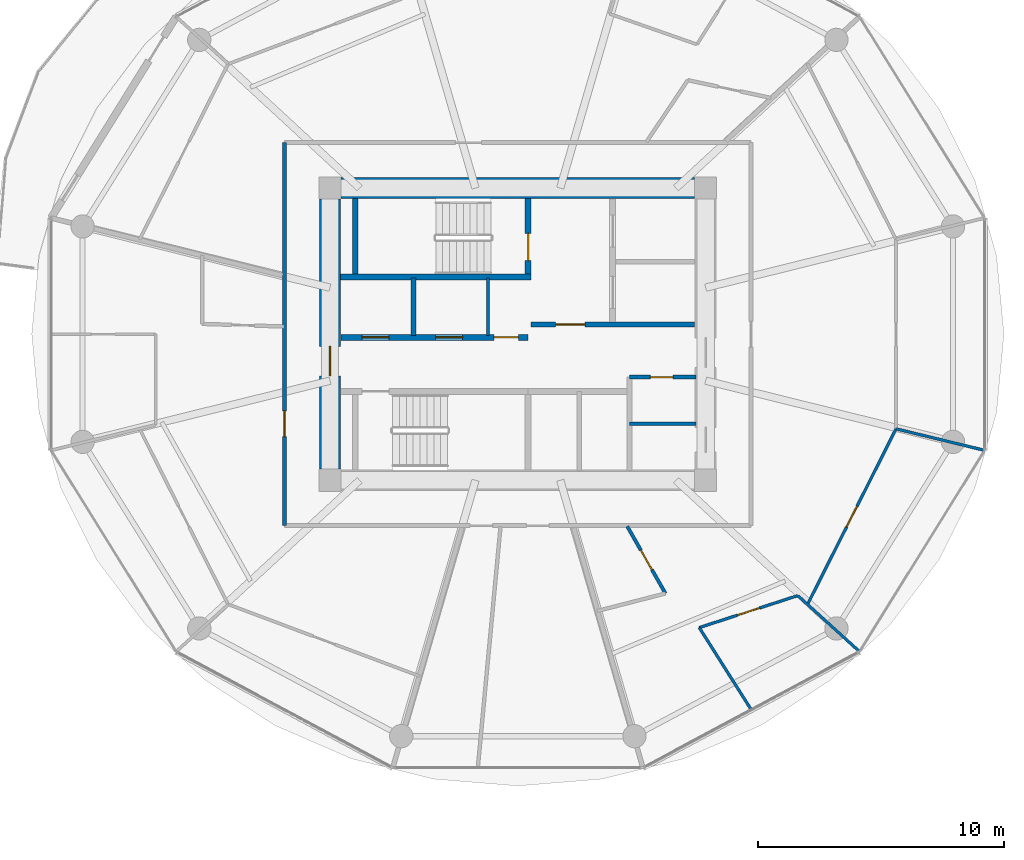
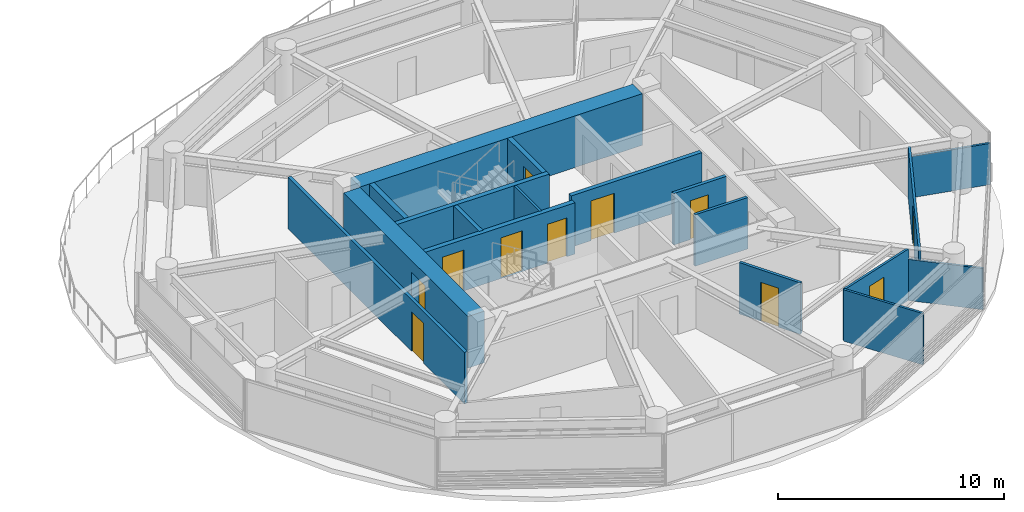
# One storey, part 19 of 27: 18 walls, 11 doors, 11 openings.
"""IFC4 building model written with IfcOpenShell, lengths in metres."""

from ifc_helpers import new_model, si_unit, direction, frame, frame_2d, origin, place, context, subcontext, project, spatial, rectangle, extrude, source, transform, mapped, material, layer, layer_set, type_object, type_shapes, element, fill, save


model = new_model("IFC4")

# Units and contexts
model_context = context("Model", 3, precision=1e-05, world=origin(), true_north=direction((0.0, 1.0)))
body_context = subcontext(model_context, "Body", "Model", "MODEL_VIEW")
ifc_project = project(units=[si_unit("LENGTHUNIT", "METRE"), si_unit("AREAUNIT", "SQUARE_METRE"), si_unit("VOLUMEUNIT", "CUBIC_METRE"), si_unit("PLANEANGLEUNIT", "RADIAN"), si_unit("MASSUNIT", "GRAM", prefix="KILO")], contexts=[model_context])

# Site, building, storey
site_placement = place(None, origin())
site = spatial("IfcSite", under=ifc_project, at=site_placement, CompositionType="ELEMENT")
building_placement = place(site_placement, origin())
building = spatial("IfcBuilding", under=site, at=building_placement, Name="Norrkilde Senior Care Towers", CompositionType="ELEMENT")
storey_placement = place(building_placement, frame((0.0, 0.0, 58.199951171875)))
storey = spatial("IfcBuildingStorey", under=building, at=storey_placement, Name="L17", CompositionType="ELEMENT", Elevation=58.199951171875)

# Wall
ifc_material_1 = material(Name="Concrete C60/75", Category="concrete")
ifc_layer_1 = layer(ifc_material_1, 0.85009765625)
ifc_layer_set_1 = layer_set([ifc_layer_1], Name="Concrete C60/75")
wall_type_1 = type_object("IfcWallType", Name="Core Shear Wall Z1 850", PredefinedType="SHEAR", material=ifc_layer_set_1)
shared_shape_1 = source(origin(), body_context, "Body", "SweptSolid", [
    extrude(rectangle(XDim=14.39990234375, YDim=0.85009765625, at=frame_2d((7.199951171875, 0.0))), origin(), (0.0, 0.0, 1.0), 2.7900390625),
])
wall_1_placement = place(storey_placement, frame((20.800048828125, 5.949951171875, 0.0), z_axis=(0.0, 0.0, 1.0), x_axis=(1.0, 0.0, 0.0)))
element("IfcWall", 1, at=wall_1_placement, inside=storey, type_object=wall_type_1, Name="L17 Core E North Shear Wall", PredefinedType="SHEAR", context=body_context, shape_type="MappedRepresentation", body=[
    mapped(shared_shape_1, transform((0.0, 0.0, 0.0), x_axis=(1.0, 0.0, 0.0), y_axis=(0.0, 1.0, 0.0), z_axis=(0.0, 0.0, 1.0), scale=1.0)),
])

# Wall, opening, door
shared_shape_2 = source(origin(), body_context, "Body", "SweptSolid", [
    extrude(rectangle(XDim=11.0, YDim=0.85009765625, at=frame_2d((5.5, 0.0))), origin(), (0.0, 0.0, 1.0), 2.7900390625),
])
type_shapes(wall_type_1, [shared_shape_1, shared_shape_2])
wall_2_placement = place(storey_placement, frame((20.35009765625, -5.5, 0.0), z_axis=(0.0, 0.0, 1.0), x_axis=(0.0, 1.0, 0.0)))
wall_2 = element("IfcWall", 2, at=wall_2_placement, inside=storey, type_object=wall_type_1, Name="L17 Core E West Shear Wall", PredefinedType="SHEAR", context=body_context, shape_type="MappedRepresentation", body=[
    mapped(shared_shape_2, transform((0.0, 0.0, 0.0), x_axis=(1.0, 0.0, 0.0), y_axis=(0.0, 1.0, 0.0), z_axis=(0.0, 0.0, 1.0), scale=1.0)),
])
opening_1_placement = place(wall_2_placement, frame((3.800048828125, 0.0, 0.0)))
opening_1 = element("IfcOpeningElement", 3, at=opening_1_placement, cuts=wall_2, Name="Opening D-04", PredefinedType="OPENING", context=body_context, shape_type="SweptSolid", body=[
    extrude(rectangle(XDim=1.199951171875, YDim=2.14990234375, at=frame_2d((0.60009765625, 1.074951171875))), frame((0.0, 0.43505859375, 0.0), z_axis=(0.0, -1.0, 0.0), x_axis=(1.0, 0.0, 0.0)), (0.0, 0.0, 1.0), 0.8701171875),
])
ifc_material_2 = material(Name="Galvanised Painted Steel", Category="steel")
door_type_1 = type_object("IfcDoorType", Name="Firefighting Lobby Fire Door 1200x2150", OperationType="NOTDEFINED", PredefinedType="DOOR", material=ifc_material_2)
shared_shape_3 = source(origin(), body_context, "Body", "SweptSolid", [
    extrude(rectangle(XDim=1.199951171875, YDim=2.14990234375, at=frame_2d((0.60009765625, 1.074951171875))), frame((0.0, 0.02490234375, 0.0), z_axis=(0.0, -1.0, 0.0), x_axis=(1.0, 0.0, 0.0)), (0.0, 0.0, 1.0), 0.050048828125),
])
type_shapes(door_type_1, [shared_shape_3])
door_1_placement = place(opening_1_placement, frame((1.199951171875, 0.0, 0.0), z_axis=(0.0, 0.0, 1.0), x_axis=(-1.0, 0.0, 0.0)))
door_1 = element("IfcDoor", 4, at=door_1_placement, inside=storey, type_object=door_type_1, Name="L17 Core E West Portal Door", OperationType="SINGLE_SWING_LEFT", OverallHeight=2.14990234375, OverallWidth=1.199951171875, PredefinedType="DOOR", context=body_context, shape_type="MappedRepresentation", body=[
    mapped(shared_shape_3, transform((0.0, 0.0, 0.0), x_axis=(1.0, 0.0, 0.0), y_axis=(0.0, 1.0, 0.0), z_axis=(0.0, 0.0, 1.0), scale=1.0)),
])
fill(opening_1, door_1)

# Walls
ifc_material_3 = material(Name="Concrete C45/55", Category="concrete")
ifc_layer_2 = layer(ifc_material_3, 0.239990234375)
ifc_layer_set_2 = layer_set([ifc_layer_2], Name="Concrete C45/55")
wall_type_2 = type_object("IfcWallType", Name="Shaft and Stair Enclosure Wall 240", PredefinedType="PARTITIONING", material=ifc_layer_set_2)
shared_shape_4 = source(origin(), body_context, "Body", "SweptSolid", [
    extrude(rectangle(XDim=7.76513671875, YDim=0.239990234375, at=frame_2d((3.882568359375, 0.0))), origin(), (0.0, 0.0, 1.0), 2.7900390625),
])
wall_3_placement = place(storey_placement, frame((20.77490234375, 2.330078125, 0.0), z_axis=(0.0, 0.0, 1.0), x_axis=(1.0, 0.0, 0.0)))
element("IfcWall", 5, at=wall_3_placement, inside=storey, type_object=wall_type_2, Name="WL-INT-L17-E-ST1S", PredefinedType="PARTITIONING", context=body_context, shape_type="MappedRepresentation", body=[
    mapped(shared_shape_4, transform((0.0, 0.0, 0.0), x_axis=(1.0, 0.0, 0.0), y_axis=(0.0, 1.0, 0.0), z_axis=(0.0, 0.0, 1.0), scale=1.0)),
])
shared_shape_5 = source(origin(), body_context, "Body", "SweptSolid", [
    extrude(rectangle(XDim=3.074951171875, YDim=0.239990234375, at=frame_2d((1.53759765625, 0.0))), origin(), (0.0, 0.0, 1.0), 2.7900390625),
])
type_shapes(wall_type_2, [shared_shape_4, shared_shape_5])
wall_4_placement = place(storey_placement, frame((21.3798828125, 2.449951171875, 0.0), z_axis=(0.0, 0.0, 1.0), x_axis=(0.0, 1.0, 0.0)))
element("IfcWall", 6, at=wall_4_placement, inside=storey, type_object=wall_type_2, Name="WL-INT-L17-E-ST1W", PredefinedType="PARTITIONING", context=body_context, shape_type="MappedRepresentation", body=[
    mapped(shared_shape_5, transform((0.0, 0.0, 0.0), x_axis=(1.0, 0.0, 0.0), y_axis=(0.0, 1.0, 0.0), z_axis=(0.0, 0.0, 1.0), scale=1.0)),
])

# Wall, opening, door
wall_5_placement = place(storey_placement, frame((28.419921875, 2.449951171875, 0.0), z_axis=(0.0, 0.0, 1.0), x_axis=(0.0, 1.0, 0.0)))
wall_5 = element("IfcWall", 7, at=wall_5_placement, inside=storey, type_object=wall_type_2, Name="WL-INT-L17-E-ST1E", PredefinedType="PARTITIONING", context=body_context, shape_type="MappedRepresentation", body=[
    mapped(shared_shape_5, transform((0.0, 0.0, 0.0), x_axis=(1.0, 0.0, 0.0), y_axis=(0.0, 1.0, 0.0), z_axis=(0.0, 0.0, 1.0), scale=1.0)),
])
opening_2_placement = place(wall_5_placement, frame((0.550048828125, 0.0, 0.0)))
opening_2 = element("IfcOpeningElement", 8, at=opening_2_placement, cuts=wall_5, Name="Opening D-03", PredefinedType="OPENING", context=body_context, shape_type="SweptSolid", body=[
    extrude(rectangle(XDim=1.10009765625, YDim=2.14990234375, at=frame_2d((0.550048828125, 1.074951171875))), frame((0.0, 0.1298828125, 0.0), z_axis=(0.0, -1.0, 0.0), x_axis=(1.0, 0.0, 0.0)), (0.0, 0.0, 1.0), 0.260009765625),
])
door_type_2 = type_object("IfcDoorType", Name="Stairwell Protected Fire Door 1100x2150", OperationType="NOTDEFINED", PredefinedType="DOOR", material=ifc_material_2)
shared_shape_6 = source(origin(), body_context, "Body", "SweptSolid", [
    extrude(rectangle(XDim=1.10009765625, YDim=2.14990234375, at=frame_2d((0.550048828125, 1.074951171875))), frame((0.0, 0.02490234375, 0.0), z_axis=(0.0, -1.0, 0.0), x_axis=(1.0, 0.0, 0.0)), (0.0, 0.0, 1.0), 0.050048828125),
])
type_shapes(door_type_2, [shared_shape_6])
door_2_placement = place(opening_2_placement, origin())
door_2 = element("IfcDoor", 9, at=door_2_placement, inside=storey, type_object=door_type_2, Name="L17 Stair E1 Fire Door", OperationType="SINGLE_SWING_LEFT", OverallHeight=2.14990234375, OverallWidth=1.10009765625, PredefinedType="DOOR", context=body_context, shape_type="MappedRepresentation", body=[
    mapped(shared_shape_6, transform((0.0, 0.0, 0.0), x_axis=(1.0, 0.0, 0.0), y_axis=(0.0, 1.0, 0.0), z_axis=(0.0, 0.0, 1.0), scale=1.0)),
])
fill(opening_2, door_2)

ifc_layer_3 = layer(ifc_material_3, 0.2099609375)
ifc_layer_set_3 = layer_set([ifc_layer_3], Name="Concrete C45/55")
wall_type_3 = type_object("IfcWallType", Name="Firefighting Lobby Wall 210", PredefinedType="PARTITIONING", material=ifc_layer_set_3)
shared_shape_7 = source(origin(), body_context, "Body", "SweptSolid", [
    extrude(rectangle(XDim=6.659912109375, YDim=0.2099609375, at=frame_2d((3.330078125, 0.0))), origin(), (0.0, 0.0, 1.0), 2.775146484375),
])
type_shapes(wall_type_3, [shared_shape_7])
wall_6_placement = place(storey_placement, frame((28.5400390625, 0.389892578125, 0.0), z_axis=(0.0, 0.0, 1.0), x_axis=(1.0, 0.0, 0.0)))
wall_6 = element("IfcWall", 10, at=wall_6_placement, inside=storey, type_object=wall_type_3, Name="WL-INT-L17-E-FFLS", PredefinedType="PARTITIONING", context=body_context, shape_type="MappedRepresentation", body=[
    mapped(shared_shape_7, transform((0.0, 0.0, 0.0), x_axis=(1.0, 0.0, 0.0), y_axis=(0.0, 1.0, 0.0), z_axis=(0.0, 0.0, 1.0), scale=1.0)),
])
opening_3_placement = place(wall_6_placement, frame((1.0, 0.0, 0.0)))
opening_3 = element("IfcOpeningElement", 11, at=opening_3_placement, cuts=wall_6, Name="Opening D-04", PredefinedType="OPENING", context=body_context, shape_type="SweptSolid", body=[
    extrude(rectangle(XDim=1.199951171875, YDim=2.14990234375, at=frame_2d((0.60009765625, 1.074951171875))), frame((0.0, 0.114990234375, 0.0), z_axis=(0.0, -1.0, 0.0), x_axis=(1.0, 0.0, 0.0)), (0.0, 0.0, 1.0), 0.22998046875),
])
door_3_placement = place(opening_3_placement, frame((1.199951171875, 0.0, 0.0), z_axis=(0.0, 0.0, 1.0), x_axis=(-1.0, 0.0, 0.0)))
door_3 = element("IfcDoor", 12, at=door_3_placement, inside=storey, type_object=door_type_1, Name="L17 Firefighting Lobby E Door", OperationType="SINGLE_SWING_LEFT", OverallHeight=2.14990234375, OverallWidth=1.199951171875, PredefinedType="DOOR", context=body_context, shape_type="MappedRepresentation", body=[
    mapped(shared_shape_3, transform((0.0, 0.0, 0.0), x_axis=(1.0, 0.0, 0.0), y_axis=(0.0, 1.0, 0.0), z_axis=(0.0, 0.0, 1.0), scale=1.0)),
])
fill(opening_3, door_3)

# Wall, openings, doors
ifc_layer_4 = layer(ifc_material_3, 0.239990234375)
ifc_layer_set_4 = layer_set([ifc_layer_4], Name="Concrete C45/55")
wall_type_4 = type_object("IfcWallType", Name="Lift and Plant Rated Enclosure Partition 240", PredefinedType="PARTITIONING", material=ifc_layer_set_4)
shared_shape_8 = source(origin(), body_context, "Body", "SweptSolid", [
    extrude(rectangle(XDim=7.619873046875, YDim=0.239990234375, at=frame_2d((3.81005859375, 0.0))), origin(), (0.0, 0.0, 1.0), 2.775146484375),
])
type_shapes(wall_type_4, [shared_shape_8])
wall_7_placement = place(storey_placement, frame((20.800048828125, -0.1298828125, 0.0), z_axis=(0.0, 0.0, 1.0), x_axis=(1.0, 0.0, 0.0)))
wall_7 = element("IfcWall", 13, at=wall_7_placement, inside=storey, type_object=wall_type_4, Name="WL-INT-L17-E-PKAS", PredefinedType="PARTITIONING", context=body_context, shape_type="MappedRepresentation", body=[
    mapped(shared_shape_8, transform((0.0, 0.0, 0.0), x_axis=(1.0, 0.0, 0.0), y_axis=(0.0, 1.0, 0.0), z_axis=(0.0, 0.0, 1.0), scale=1.0)),
])
opening_4_placement = place(wall_7_placement, frame((6.219970703125, 0.0, 0.0)))
opening_4 = element("IfcOpeningElement", 14, at=opening_4_placement, cuts=wall_7, Name="Opening D-10", PredefinedType="OPENING", context=body_context, shape_type="SweptSolid", body=[
    extrude(rectangle(XDim=1.0, YDim=2.10009765625, at=frame_2d((0.5, 1.050048828125))), frame((0.0, 0.1298828125, 0.0), z_axis=(0.0, -1.0, 0.0), x_axis=(1.0, 0.0, 0.0)), (0.0, 0.0, 1.0), 0.260009765625),
])
opening_5_placement = place(wall_7_placement, frame((0.85009765625, 0.0, 0.0)))
opening_5 = element("IfcOpeningElement", 15, at=opening_5_placement, cuts=wall_7, Name="Opening LD-01", PredefinedType="OPENING", context=body_context, shape_type="SweptSolid", body=[
    extrude(rectangle(XDim=1.10009765625, YDim=2.199951171875, at=frame_2d((0.550048828125, 1.10009765625))), frame((0.0, 0.1298828125, 0.0), z_axis=(0.0, -1.0, 0.0), x_axis=(1.0, 0.0, 0.0)), (0.0, 0.0, 1.0), 0.260009765625),
])
opening_6_placement = place(wall_7_placement, frame((3.85009765625, 0.0, 0.0)))
opening_6 = element("IfcOpeningElement", 16, at=opening_6_placement, cuts=wall_7, Name="Opening LD-01", PredefinedType="OPENING", context=body_context, shape_type="SweptSolid", body=[
    extrude(rectangle(XDim=1.10009765625, YDim=2.199951171875, at=frame_2d((0.550048828125, 1.10009765625))), frame((0.0, 0.1298828125, 0.0), z_axis=(0.0, -1.0, 0.0), x_axis=(1.0, 0.0, 0.0)), (0.0, 0.0, 1.0), 0.260009765625),
])
door_type_3 = type_object("IfcDoorType", Name="Plant and Riser Rated Door 1000x2100", OperationType="NOTDEFINED", PredefinedType="DOOR", material=ifc_material_2)
shared_shape_9 = source(origin(), body_context, "Body", "SweptSolid", [
    extrude(rectangle(XDim=1.0, YDim=2.10009765625, at=frame_2d((0.5, 1.050048828125))), frame((0.0, 0.02490234375, 0.0), z_axis=(0.0, -1.0, 0.0), x_axis=(1.0, 0.0, 0.0)), (0.0, 0.0, 1.0), 0.050048828125),
])
type_shapes(door_type_3, [shared_shape_9])
door_4_placement = place(opening_4_placement, frame((1.0, 0.0, 0.0), z_axis=(0.0, 0.0, 1.0), x_axis=(-1.0, 0.0, 0.0)))
door_4 = element("IfcDoor", 17, at=door_4_placement, inside=storey, type_object=door_type_3, Name="L17 Electrical Riser E Door", OperationType="SINGLE_SWING_LEFT", OverallHeight=2.10009765625, OverallWidth=1.0, PredefinedType="DOOR", context=body_context, shape_type="MappedRepresentation", body=[
    mapped(shared_shape_9, transform((0.0, 0.0, 0.0), x_axis=(1.0, 0.0, 0.0), y_axis=(0.0, 1.0, 0.0), z_axis=(0.0, 0.0, 1.0), scale=1.0)),
])
fill(opening_4, door_4)
ifc_material_4 = material(Name="Stainless Steel", Category="steel")
door_type_4 = type_object("IfcDoorType", Name="Lift Landing Sliding Door 1100x2200", OperationType="NOTDEFINED", PredefinedType="DOOR", material=ifc_material_4)
shared_shape_10 = source(origin(), body_context, "Body", "SweptSolid", [
    extrude(rectangle(XDim=1.10009765625, YDim=2.199951171875, at=frame_2d((0.550048828125, 1.10009765625))), frame((0.0, 0.02490234375, 0.0), z_axis=(0.0, -1.0, 0.0), x_axis=(1.0, 0.0, 0.0)), (0.0, 0.0, 1.0), 0.050048828125),
])
type_shapes(door_type_4, [shared_shape_10])
door_5_placement = place(opening_5_placement, origin())
door_5 = element("IfcDoor", 18, at=door_5_placement, inside=storey, type_object=door_type_4, Name="L17 Passenger Lift E1 Landing Door", OperationType="SLIDING_TO_LEFT", OverallHeight=2.199951171875, OverallWidth=1.10009765625, PredefinedType="DOOR", context=body_context, shape_type="MappedRepresentation", body=[
    mapped(shared_shape_10, transform((0.0, 0.0, 0.0), x_axis=(1.0, 0.0, 0.0), y_axis=(0.0, 1.0, 0.0), z_axis=(0.0, 0.0, 1.0), scale=1.0)),
])
fill(opening_5, door_5)
door_6_placement = place(opening_6_placement, origin())
door_6 = element("IfcDoor", 19, at=door_6_placement, inside=storey, type_object=door_type_4, Name="L17 Passenger Lift E2 Landing Door", OperationType="SLIDING_TO_RIGHT", OverallHeight=2.199951171875, OverallWidth=1.10009765625, PredefinedType="DOOR", context=body_context, shape_type="MappedRepresentation", body=[
    mapped(shared_shape_10, transform((0.0, 0.0, 0.0), x_axis=(1.0, 0.0, 0.0), y_axis=(0.0, 1.0, 0.0), z_axis=(0.0, 0.0, 1.0), scale=1.0)),
])
fill(opening_6, door_6)

# Walls
ifc_material_5 = material(Name="Gypsum Acoustic Board")
ifc_layer_5 = layer(ifc_material_5, 0.114990234375)
ifc_layer_set_5 = layer_set([ifc_layer_5], Name="Gypsum Acoustic Board")
wall_type_5 = type_object("IfcWallType", Name="Internal Room Partition 115", PredefinedType="PARTITIONING", material=ifc_layer_set_5)
shared_shape_11 = source(origin(), body_context, "Body", "SweptSolid", [
    extrude(rectangle(XDim=2.330078125, YDim=0.114990234375, at=frame_2d((1.1650390625, 0.0))), origin(), (0.0, 0.0, 1.0), 2.775146484375),
])
wall_8_placement = place(storey_placement, frame((26.7900390625, -0.050048828125, 0.0), z_axis=(0.0, 0.0, 1.0), x_axis=(0.0, 1.0, 0.0)))
element("IfcWall", 20, at=wall_8_placement, inside=storey, type_object=wall_type_5, Name="WL-INT-L17-E-RISW", PredefinedType="PARTITIONING", context=body_context, shape_type="MappedRepresentation", body=[
    mapped(shared_shape_11, transform((0.0, 0.0, 0.0), x_axis=(1.0, 0.0, 0.0), y_axis=(0.0, 1.0, 0.0), z_axis=(0.0, 0.0, 1.0), scale=1.0)),
])
ifc_layer_6 = layer(ifc_material_3, 0.199951171875)
ifc_layer_set_6 = layer_set([ifc_layer_6], Name="Concrete C45/55")
wall_type_6 = type_object("IfcWallType", Name="Shaft Division and Plant Partition 200", PredefinedType="PARTITIONING", material=ifc_layer_set_6)
shared_shape_12 = source(origin(), body_context, "Body", "SweptSolid", [
    extrude(rectangle(XDim=2.330078125, YDim=0.199951171875, at=frame_2d((1.1650390625, 0.0))), origin(), (0.0, 0.0, 1.0), 2.775146484375),
])
type_shapes(wall_type_6, [shared_shape_12])
wall_9_placement = place(storey_placement, frame((23.75, -0.050048828125, 0.0), z_axis=(0.0, 0.0, 1.0), x_axis=(0.0, 1.0, 0.0)))
element("IfcWall", 21, at=wall_9_placement, inside=storey, type_object=wall_type_6, Name="WL-INT-L17-E-PL12", PredefinedType="PARTITIONING", context=body_context, shape_type="MappedRepresentation", body=[
    mapped(shared_shape_12, transform((0.0, 0.0, 0.0), x_axis=(1.0, 0.0, 0.0), y_axis=(0.0, 1.0, 0.0), z_axis=(0.0, 0.0, 1.0), scale=1.0)),
])

# Wall, opening, door
ifc_layer_7 = layer(ifc_material_5, 0.1650390625)
ifc_layer_set_7 = layer_set([ifc_layer_7], Name="Gypsum Acoustic Board")
wall_type_7 = type_object("IfcWallType", Name="Corridor Rated Partition 165", PredefinedType="PARTITIONING", material=ifc_layer_set_7)
shared_shape_13 = source(origin(), body_context, "Body", "SweptSolid", [
    extrude(rectangle(XDim=2.699951171875, YDim=0.1650390625, at=frame_2d((1.35009765625, 0.0))), origin(), (0.0, 0.0, 1.0), 2.775146484375),
])
wall_10_placement = place(storey_placement, frame((32.550048828125, -1.75, 0.0), z_axis=(0.0, 0.0, 1.0), x_axis=(1.0, 0.0, 0.0)))
wall_10 = element("IfcWall", 22, at=wall_10_placement, inside=storey, type_object=wall_type_7, Name="WL-INT-L17-E-CSN", PredefinedType="PARTITIONING", context=body_context, shape_type="MappedRepresentation", body=[
    mapped(shared_shape_13, transform((0.0, 0.0, 0.0), x_axis=(1.0, 0.0, 0.0), y_axis=(0.0, 1.0, 0.0), z_axis=(0.0, 0.0, 1.0), scale=1.0)),
])
opening_7_placement = place(wall_10_placement, frame((0.85009765625, 0.0, 0.0)))
opening_7 = element("IfcOpeningElement", 23, at=opening_7_placement, cuts=wall_10, Name="Opening D-12", PredefinedType="OPENING", context=body_context, shape_type="SweptSolid", body=[
    extrude(rectangle(XDim=0.925048828125, YDim=2.10009765625, at=frame_2d((0.46240234375, 1.050048828125))), frame((0.0, 0.092529296875, 0.0), z_axis=(0.0, -1.0, 0.0), x_axis=(1.0, 0.0, 0.0)), (0.0, 0.0, 1.0), 0.18505859375),
])
door_type_5 = type_object("IfcDoorType", Name="Core Wet Room Rated Door 925x2100", OperationType="NOTDEFINED", PredefinedType="DOOR", material=ifc_material_2)
shared_shape_14 = source(origin(), body_context, "Body", "SweptSolid", [
    extrude(rectangle(XDim=0.925048828125, YDim=2.10009765625, at=frame_2d((0.46240234375, 1.050048828125))), frame((0.0, 0.02490234375, 0.0), z_axis=(0.0, -1.0, 0.0), x_axis=(1.0, 0.0, 0.0)), (0.0, 0.0, 1.0), 0.050048828125),
])
type_shapes(door_type_5, [shared_shape_14])
door_7_placement = place(opening_7_placement, origin())
door_7 = element("IfcDoor", 24, at=door_7_placement, inside=storey, type_object=door_type_5, Name="L17 Staff WC E Door", OperationType="SINGLE_SWING_LEFT", OverallHeight=2.10009765625, OverallWidth=0.925048828125, PredefinedType="DOOR", context=body_context, shape_type="MappedRepresentation", body=[
    mapped(shared_shape_14, transform((0.0, 0.0, 0.0), x_axis=(1.0, 0.0, 0.0), y_axis=(0.0, 1.0, 0.0), z_axis=(0.0, 0.0, 1.0), scale=1.0)),
])
fill(opening_7, door_7)

shared_shape_15 = source(origin(), body_context, "Body", "SweptSolid", [
    extrude(rectangle(XDim=15.60009765625, YDim=0.1650390625, at=frame_2d((7.800048828125, 0.0))), origin(), (0.0, 0.0, 1.0), 2.775146484375),
])
type_shapes(wall_type_7, [shared_shape_13, shared_shape_15])
wall_11_placement = place(storey_placement, frame((18.5, -7.800048828125, 0.0), z_axis=(0.0, 0.0, 1.0), x_axis=(0.0, 1.0, 0.0)))
wall_11 = element("IfcWall", 25, at=wall_11_placement, inside=storey, type_object=wall_type_7, Name="WL-INT-L17-E-CRW-W-0", PredefinedType="PARTITIONING", context=body_context, shape_type="MappedRepresentation", body=[
    mapped(shared_shape_15, transform((0.0, 0.0, 0.0), x_axis=(1.0, 0.0, 0.0), y_axis=(0.0, 1.0, 0.0), z_axis=(0.0, 0.0, 1.0), scale=1.0)),
])
opening_8_placement = place(wall_11_placement, frame((3.63037109375, 0.0, 0.0)))
opening_8 = element("IfcOpeningElement", 26, at=opening_8_placement, cuts=wall_11, Name="Opening D-06", PredefinedType="OPENING", context=body_context, shape_type="SweptSolid", body=[
    extrude(rectangle(XDim=1.050048828125, YDim=2.14990234375, at=frame_2d((0.52490234375, 1.074951171875))), frame((0.0, 0.092529296875, 0.0), z_axis=(0.0, -1.0, 0.0), x_axis=(1.0, 0.0, 0.0)), (0.0, 0.0, 1.0), 0.18505859375),
])
ifc_material_6 = material(Name="Nordic Ash Timber", Category="wood")
door_type_6 = type_object("IfcDoorType", Name="Apartment Entrance Fire Door 1050x2150", OperationType="NOTDEFINED", PredefinedType="DOOR", material=ifc_material_6)
shared_shape_16 = source(origin(), body_context, "Body", "SweptSolid", [
    extrude(rectangle(XDim=1.050048828125, YDim=2.14990234375, at=frame_2d((0.52490234375, 1.074951171875))), frame((0.0, 0.02490234375, 0.0), z_axis=(0.0, -1.0, 0.0), x_axis=(1.0, 0.0, 0.0)), (0.0, 0.0, 1.0), 0.050048828125),
])
type_shapes(door_type_6, [shared_shape_16])
door_8_placement = place(opening_8_placement, frame((1.050048828125, 0.0, 0.0), z_axis=(0.0, 0.0, 1.0), x_axis=(-1.0, 0.0, 0.0)))
door_8 = element("IfcDoor", 27, at=door_8_placement, inside=storey, type_object=door_type_6, Name="Apartment 17A Entrance Door", OperationType="SINGLE_SWING_RIGHT", OverallHeight=2.14990234375, OverallWidth=1.050048828125, PredefinedType="DOOR", context=body_context, shape_type="MappedRepresentation", body=[
    mapped(shared_shape_16, transform((0.0, 0.0, 0.0), x_axis=(1.0, 0.0, 0.0), y_axis=(0.0, 1.0, 0.0), z_axis=(0.0, 0.0, 1.0), scale=1.0)),
])
fill(opening_8, door_8)

shared_shape_17 = source(origin(), body_context, "Body", "SweptSolid", [
    extrude(rectangle(XDim=8.017822265625, YDim=0.114990234375, at=frame_2d((4.0087890625, 0.0))), origin(), (0.0, 0.0, 1.0), 2.775146484375),
])
wall_12_placement = place(storey_placement, frame((39.794921875, -11.013916015625, 0.0), z_axis=(0.0, 0.0, 1.0), x_axis=(0.450134355233, 0.89296084026, 0.0)))
wall_12 = element("IfcWall", 28, at=wall_12_placement, inside=storey, type_object=wall_type_5, Name="WL-INT-L17-E-UBC-09-1", PredefinedType="PARTITIONING", context=body_context, shape_type="MappedRepresentation", body=[
    mapped(shared_shape_17, transform((0.0, 0.0, 0.0), x_axis=(1.0, 0.0, 0.0), y_axis=(0.0, 1.0, 0.0), z_axis=(0.0, 0.0, 1.0), scale=1.0)),
])
opening_9_placement = place(wall_12_placement, frame((3.533935546875, 0.0, 0.0)))
opening_9 = element("IfcOpeningElement", 29, at=opening_9_placement, cuts=wall_12, Name="Opening D-07", PredefinedType="OPENING", context=body_context, shape_type="SweptSolid", body=[
    extrude(rectangle(XDim=0.949951171875, YDim=2.10009765625, at=frame_2d((0.47509765625, 1.050048828125))), frame((0.0, 0.0673828125, 0.0), z_axis=(0.0, -1.0, 0.0), x_axis=(1.0, 0.0, 0.0)), (0.0, 0.0, 1.0), 0.135009765625),
])
door_type_7 = type_object("IfcDoorType", Name="Internal Suite Bedroom Door 950x2100", OperationType="NOTDEFINED", PredefinedType="DOOR", material=ifc_material_6)
shared_shape_18 = source(origin(), body_context, "Body", "SweptSolid", [
    extrude(rectangle(XDim=0.949951171875, YDim=2.10009765625, at=frame_2d((0.47509765625, 1.050048828125))), frame((0.0, 0.02490234375, 0.0), z_axis=(0.0, -1.0, 0.0), x_axis=(1.0, 0.0, 0.0)), (0.0, 0.0, 1.0), 0.050048828125),
])
type_shapes(door_type_7, [shared_shape_18])
door_9_placement = place(opening_9_placement, origin())
door_9 = element("IfcDoor", 30, at=door_9_placement, inside=storey, type_object=door_type_7, Name="Apartment 17C Bedroom 1 Door", OperationType="SINGLE_SWING_LEFT", OverallHeight=2.10009765625, OverallWidth=0.949951171875, PredefinedType="DOOR", context=body_context, shape_type="MappedRepresentation", body=[
    mapped(shared_shape_18, transform((0.0, 0.0, 0.0), x_axis=(1.0, 0.0, 0.0), y_axis=(0.0, 1.0, 0.0), z_axis=(0.0, 0.0, 1.0), scale=1.0)),
])
fill(opening_9, door_9)

ifc_layer_8 = layer(ifc_material_5, 0.139892578125)
ifc_layer_set_8 = layer_set([ifc_layer_8], Name="Gypsum Acoustic Board")
wall_type_8 = type_object("IfcWallType", Name="En-suite Wet Room Wall 140", PredefinedType="PARTITIONING", material=ifc_layer_set_8)
shared_shape_19 = source(origin(), body_context, "Body", "SweptSolid", [
    extrude(rectangle(XDim=3.14111328125, YDim=0.139892578125, at=frame_2d((1.570556640625, 0.0))), origin(), (0.0, 0.0, 1.0), 2.775146484375),
])
wall_13_placement = place(storey_placement, frame((32.45849609375, -7.830078125, 0.0), z_axis=(0.0, 0.0, 1.0), x_axis=(0.494874486088, -0.868964465913, 0.0)))
wall_13 = element("IfcWall", 31, at=wall_13_placement, inside=storey, type_object=wall_type_8, Name="WL-INT-L17-E-UBTS-09", PredefinedType="PARTITIONING", context=body_context, shape_type="MappedRepresentation", body=[
    mapped(shared_shape_19, transform((0.0, 0.0, 0.0), x_axis=(1.0, 0.0, 0.0), y_axis=(0.0, 1.0, 0.0), z_axis=(0.0, 0.0, 1.0), scale=1.0)),
])
opening_10_placement = place(wall_13_placement, frame((1.110595703125, 0.0, 0.0)))
opening_10 = element("IfcOpeningElement", 32, at=opening_10_placement, cuts=wall_13, Name="Opening D-08", PredefinedType="OPENING", context=body_context, shape_type="SweptSolid", body=[
    extrude(rectangle(XDim=0.919921875, YDim=2.10009765625, at=frame_2d((0.4599609375, 1.050048828125))), frame((0.0, 0.079833984375, 0.0), z_axis=(0.0, -1.0, 0.0), x_axis=(1.0, 0.0, 0.0)), (0.0, 0.0, 1.0), 0.159912109375),
])
door_type_8 = type_object("IfcDoorType", Name="Accessible Wet Room Door 920x2100", OperationType="NOTDEFINED", PredefinedType="DOOR", material=ifc_material_6)
shared_shape_20 = source(origin(), body_context, "Body", "SweptSolid", [
    extrude(rectangle(XDim=0.919921875, YDim=2.10009765625, at=frame_2d((0.4599609375, 1.050048828125))), frame((0.0, 0.02490234375, 0.0), z_axis=(0.0, -1.0, 0.0), x_axis=(1.0, 0.0, 0.0)), (0.0, 0.0, 1.0), 0.050048828125),
])
type_shapes(door_type_8, [shared_shape_20])
door_10_placement = place(opening_10_placement, origin())
door_10 = element("IfcDoor", 33, at=door_10_placement, inside=storey, type_object=door_type_8, Name="Apartment 17C Bathroom Door", OperationType="SINGLE_SWING_LEFT", OverallHeight=2.10009765625, OverallWidth=0.919921875, PredefinedType="DOOR", context=body_context, shape_type="MappedRepresentation", body=[
    mapped(shared_shape_20, transform((0.0, 0.0, 0.0), x_axis=(1.0, 0.0, 0.0), y_axis=(0.0, 1.0, 0.0), z_axis=(0.0, 0.0, 1.0), scale=1.0)),
])
fill(opening_10, door_10)

# Walls
shared_shape_21 = source(origin(), body_context, "Body", "SweptSolid", [
    extrude(rectangle(XDim=2.699951171875, YDim=0.139892578125, at=frame_2d((1.35009765625, 0.0))), origin(), (0.0, 0.0, 1.0), 2.775146484375),
])
type_shapes(wall_type_8, [shared_shape_19, shared_shape_21])
wall_14_placement = place(storey_placement, frame((32.550048828125, -3.64990234375, 0.0), z_axis=(0.0, 0.0, 1.0), x_axis=(1.0, 0.0, 0.0)))
element("IfcWall", 34, at=wall_14_placement, inside=storey, type_object=wall_type_8, Name="WL-INT-L17-E-CS2H", PredefinedType="PARTITIONING", context=body_context, shape_type="MappedRepresentation", body=[
    mapped(shared_shape_21, transform((0.0, 0.0, 0.0), x_axis=(1.0, 0.0, 0.0), y_axis=(0.0, 1.0, 0.0), z_axis=(0.0, 0.0, 1.0), scale=1.0)),
])
shared_shape_22 = source(origin(), body_context, "Body", "SweptSolid", [
    extrude(rectangle(XDim=3.728271484375, YDim=0.114990234375, at=frame_2d((1.8642578125, 0.0))), origin(), (0.0, 0.0, 1.0), 2.22509765625),
])
wall_15_placement = place(storey_placement, frame((43.40625, -3.854736328125, 0.0), z_axis=(0.0, 0.0, 1.0), x_axis=(0.971641177968, -0.236460189624, 0.0)))
element("IfcWall", 35, at=wall_15_placement, inside=storey, type_object=wall_type_5, Name="WL-INT-L17-E-UBR-09-2", PredefinedType="PARTITIONING", context=body_context, shape_type="MappedRepresentation", body=[
    mapped(shared_shape_22, transform((0.0, 0.0, 0.0), x_axis=(1.0, 0.0, 0.0), y_axis=(0.0, 1.0, 0.0), z_axis=(0.0, 0.0, 1.0), scale=1.0)),
])
shared_shape_23 = source(origin(), body_context, "Body", "SweptSolid", [
    extrude(rectangle(XDim=3.974365234375, YDim=0.114990234375, at=frame_2d((1.9873046875, 0.0))), origin(), (0.0, 0.0, 1.0), 2.775146484375),
])
wall_16_placement = place(storey_placement, frame((35.388916015625, -11.9501953125, 0.0), z_axis=(0.0, 0.0, 1.0), x_axis=(0.534810918023, -0.844971764003, 0.0)))
element("IfcWall", 36, at=wall_16_placement, inside=storey, type_object=wall_type_5, Name="WL-INT-L17-E-UKTS-09", PredefinedType="PARTITIONING", context=body_context, shape_type="MappedRepresentation", body=[
    mapped(shared_shape_23, transform((0.0, 0.0, 0.0), x_axis=(1.0, 0.0, 0.0), y_axis=(0.0, 1.0, 0.0), z_axis=(0.0, 0.0, 1.0), scale=1.0)),
])
shared_shape_24 = source(origin(), body_context, "Body", "SweptSolid", [
    extrude(rectangle(XDim=3.400390625, YDim=0.114990234375, at=frame_2d((1.7001953125, 0.0))), origin(), (0.0, 0.0, 1.0), 2.22509765625),
])
wall_17_placement = place(storey_placement, frame((39.4111328125, -10.655517578125, 0.0), z_axis=(0.0, 0.0, 1.0), x_axis=(0.740729005272, -0.671803945172, 0.0)))
element("IfcWall", 37, at=wall_17_placement, inside=storey, type_object=wall_type_5, Name="WL-INT-L17-E-UBR-09-1", PredefinedType="PARTITIONING", context=body_context, shape_type="MappedRepresentation", body=[
    mapped(shared_shape_24, transform((0.0, 0.0, 0.0), x_axis=(1.0, 0.0, 0.0), y_axis=(0.0, 1.0, 0.0), z_axis=(0.0, 0.0, 1.0), scale=1.0)),
])

# Wall, opening, door
shared_shape_25 = source(origin(), body_context, "Body", "SweptSolid", [
    extrude(rectangle(XDim=4.2197265625, YDim=0.114990234375, at=frame_2d((2.10986328125, 0.0))), origin(), (0.0, 0.0, 1.0), 2.775146484375),
])
type_shapes(wall_type_5, [shared_shape_11, shared_shape_17, shared_shape_22, shared_shape_23, shared_shape_24, shared_shape_25])
wall_18_placement = place(storey_placement, frame((35.388916015625, -11.9501953125, 0.0), z_axis=(0.0, 0.0, 1.0), x_axis=(0.951130539873, 0.308789080315, 0.0)))
wall_18 = element("IfcWall", 38, at=wall_18_placement, inside=storey, type_object=wall_type_5, Name="WL-INT-L17-E-UKTF-09", PredefinedType="PARTITIONING", context=body_context, shape_type="MappedRepresentation", body=[
    mapped(shared_shape_25, transform((0.0, 0.0, 0.0), x_axis=(1.0, 0.0, 0.0), y_axis=(0.0, 1.0, 0.0), z_axis=(0.0, 0.0, 1.0), scale=1.0)),
])
opening_11_placement = place(wall_18_placement, frame((1.635009765625, 0.0, 0.0)))
opening_11 = element("IfcOpeningElement", 39, at=opening_11_placement, cuts=wall_18, Name="Opening D-07", PredefinedType="OPENING", context=body_context, shape_type="SweptSolid", body=[
    extrude(rectangle(XDim=0.949951171875, YDim=2.10009765625, at=frame_2d((0.47509765625, 1.050048828125))), frame((0.0, 0.0673828125, 0.0), z_axis=(0.0, -1.0, 0.0), x_axis=(1.0, 0.0, 0.0)), (0.0, 0.0, 1.0), 0.135009765625),
])
door_11_placement = place(opening_11_placement, frame((0.949951171875, 0.0, 0.0), z_axis=(0.0, 0.0, 1.0), x_axis=(-1.0, 0.0, 0.0)))
door_11 = element("IfcDoor", 40, at=door_11_placement, inside=storey, type_object=door_type_7, Name="Apartment 17C Kitchen Door", OperationType="SINGLE_SWING_RIGHT", OverallHeight=2.10009765625, OverallWidth=0.949951171875, PredefinedType="DOOR", context=body_context, shape_type="MappedRepresentation", body=[
    mapped(shared_shape_18, transform((0.0, 0.0, 0.0), x_axis=(1.0, 0.0, 0.0), y_axis=(0.0, 1.0, 0.0), z_axis=(0.0, 0.0, 1.0), scale=1.0)),
])
fill(opening_11, door_11)

save(model, "model.ifc")
